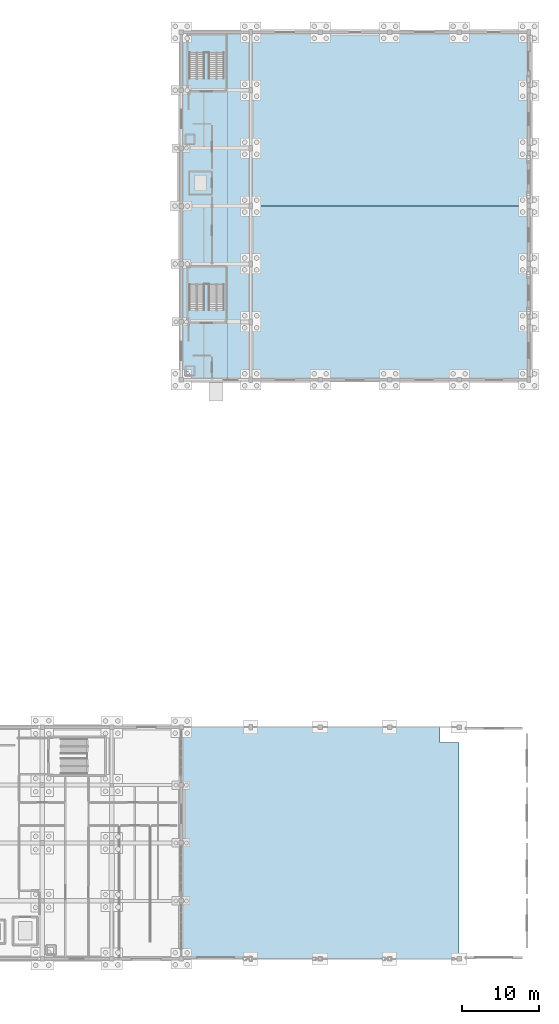
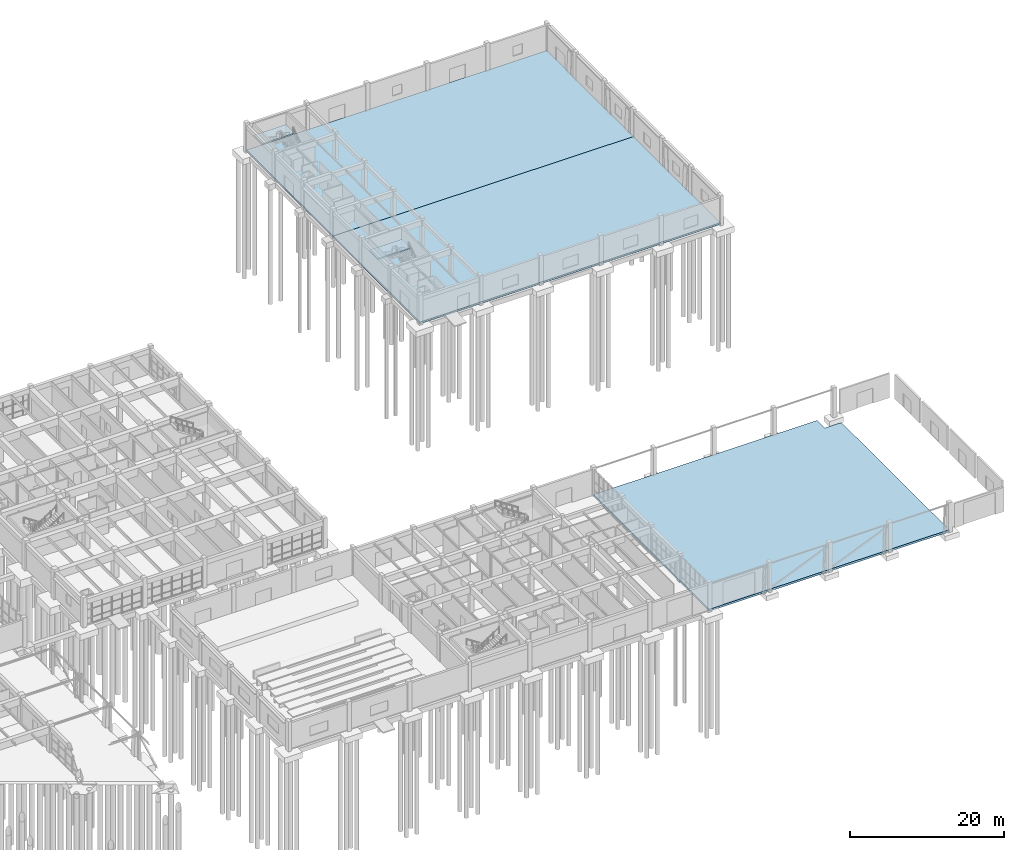
# One storey, part 53 of 93: 5 slabs, 2 elements without a shape of their own.
"""IFC4 building model written with IfcOpenShell, lengths in metres."""

from ifc_helpers import new_model, si_unit, direction, frame, origin, place, context, subcontext, project, spatial, polyline, outline, extrude, material, layer, layer_set, type_object, element, aggregate, save


model = new_model("IFC4")

# Units and contexts
model_context = context("Model", 3, precision=1e-05, world=origin(), true_north=direction((0.0, 1.0)))
body_context = subcontext(model_context, "Body", "Model", "MODEL_VIEW")
ifc_project = project(units=[si_unit("LENGTHUNIT", "METRE"), si_unit("AREAUNIT", "SQUARE_METRE"), si_unit("VOLUMEUNIT", "CUBIC_METRE"), si_unit("PLANEANGLEUNIT", "RADIAN"), si_unit("MASSUNIT", "GRAM", prefix="KILO")], contexts=[model_context])

# Site, building, storey
site_placement = place(None, origin())
site = spatial("IfcSite", under=ifc_project, at=site_placement, CompositionType="ELEMENT")
building_placement = place(site_placement, origin())
building = spatial("IfcBuilding", under=site, at=building_placement, Name="Marnridge Secondary College", CompositionType="ELEMENT")
storey_placement = place(building_placement, origin())
storey = spatial("IfcBuildingStorey", under=building, at=storey_placement, Name="L00", CompositionType="ELEMENT", Elevation=0.0)

# Slabs
ifc_material_1 = material(Name="Concrete C40/50 (AS 3600 N40, 40 MPa)", Category="concrete")
ifc_layer_1 = layer(ifc_material_1, 0.2900390625)
ifc_layer_set_1 = layer_set([ifc_layer_1], Name="SL-BASE-290")
slab_type_1 = type_object("IfcSlabType", Name="SL-BASE-290", PredefinedType="BASESLAB", material=ifc_layer_set_1)
slab_1_placement = place(storey_placement, frame((0.0, 0.0, -0.2900390625)))
element("IfcSlab", 1, at=slab_1_placement, inside=storey, type_object=slab_type_1, Name="Floor slab SL-L00-003", PredefinedType="BASESLAB", context=body_context, shape_type="SweptSolid", body=[
    extrude(outline(polyline([(126.0, 97.5), (171.0, 97.5), (171.0, 75.0), (126.0, 75.0), (126.0, 97.5)])), origin(), (0.0, 0.0, 1.0), 0.2900390625),
])
slab_2_placement = place(storey_placement, frame((0.0, 0.0, -0.2900390625)))
element("IfcSlab", 2, at=slab_2_placement, inside=storey, type_object=slab_type_1, Name="Floor slab SL-L00-004", PredefinedType="BASESLAB", context=body_context, shape_type="SweptSolid", body=[
    extrude(outline(polyline([(126.0, 120.0), (171.0, 120.0), (171.0, 97.5), (126.0, 97.5), (126.0, 120.0)])), origin(), (0.0, 0.0, 1.0), 0.2900390625),
])
ifc_material_2 = material(Name="Concrete C40/50 (AS 3600 N40, 40 MPa)", Category="concrete")
ifc_layer_2 = layer(ifc_material_2, 0.320068359375)
ifc_layer_set_2 = layer_set([ifc_layer_2], Name="SL-EXT-320")
slab_type_2 = type_object("IfcSlabType", Name="SL-EXT-320", PredefinedType="BASESLAB", material=ifc_layer_set_2)
slab_3_placement = place(storey_placement, frame((0.0, 0.0, -0.320068359375)))
element("IfcSlab", 3, at=slab_3_placement, inside=storey, type_object=slab_type_2, Name="External deck slab SL-L00-055", PredefinedType="BASESLAB", context=body_context, shape_type="SweptSolid", body=[
    extrude(outline(polyline([(126.0, 0.0), (162.0, 0.0), (162.0, 28.0), (159.5, 28.0), (159.5, 30.0), (126.0, 30.0), (126.0, 0.0)])), origin(), (0.0, 0.0, 1.0), 0.320068359375),
])

# Stair, slab
ifc_material_3 = material(Name="Concrete C40/50 (AS 3600 N40, 40 MPa)", Category="concrete")
stair_type = type_object("IfcStairType", Name="STC1", PredefinedType="HALF_TURN_STAIR", material=ifc_material_3)
stair_1_placement = place(storey_placement, origin())
stair_1 = element("IfcStair", 4, at=stair_1_placement, inside=storey, type_object=stair_type, Name="Fire-isolated stair ST-09-L00", PredefinedType="HALF_TURN_STAIR")
ifc_material_4 = material(Name="Concrete C40/50 (AS 3600 N40, 40 MPa)", Category="concrete")
ifc_layer_3 = layer(ifc_material_4, 0.199951171875)
ifc_layer_set_3 = layer_set([ifc_layer_3], Name="SL-LAND-200")
slab_type_3 = type_object("IfcSlabType", Name="SL-LAND-200", PredefinedType="LANDING", material=ifc_layer_set_3)
slab_4_placement = place(storey_placement, frame((0.0, 0.0, 2.050048828125)))
slab_4 = element("IfcSlab", 5, at=slab_4_placement, type_object=slab_type_3, Name="ST-09-L00 landing 1", PredefinedType="LANDING", context=body_context, shape_type="SweptSolid", body=[
    extrude(outline(polyline([(126.860107421875, 87.3798828125), (131.739990234375, 87.3798828125), (131.739990234375, 89.639892578125), (126.860107421875, 89.639892578125), (126.860107421875, 87.3798828125)])), origin(), (0.0, 0.0, 1.0), 0.199951171875),
])
aggregate(stair_1, [slab_4])

stair_2_placement = place(storey_placement, origin())
stair_2 = element("IfcStair", 6, at=stair_2_placement, inside=storey, type_object=stair_type, Name="Fire-isolated stair ST-10-L00", PredefinedType="HALF_TURN_STAIR")
slab_5_placement = place(storey_placement, frame((0.0, 0.0, 2.050048828125)))
slab_5 = element("IfcSlab", 7, at=slab_5_placement, type_object=slab_type_3, Name="ST-10-L00 landing 1", PredefinedType="LANDING", context=body_context, shape_type="SweptSolid", body=[
    extrude(outline(polyline([(126.860107421875, 117.3798828125), (131.739990234375, 117.3798828125), (131.739990234375, 119.639892578125), (126.860107421875, 119.639892578125), (126.860107421875, 117.3798828125)])), origin(), (0.0, 0.0, 1.0), 0.199951171875),
])
aggregate(stair_2, [slab_5])

save(model, "model.ifc")
